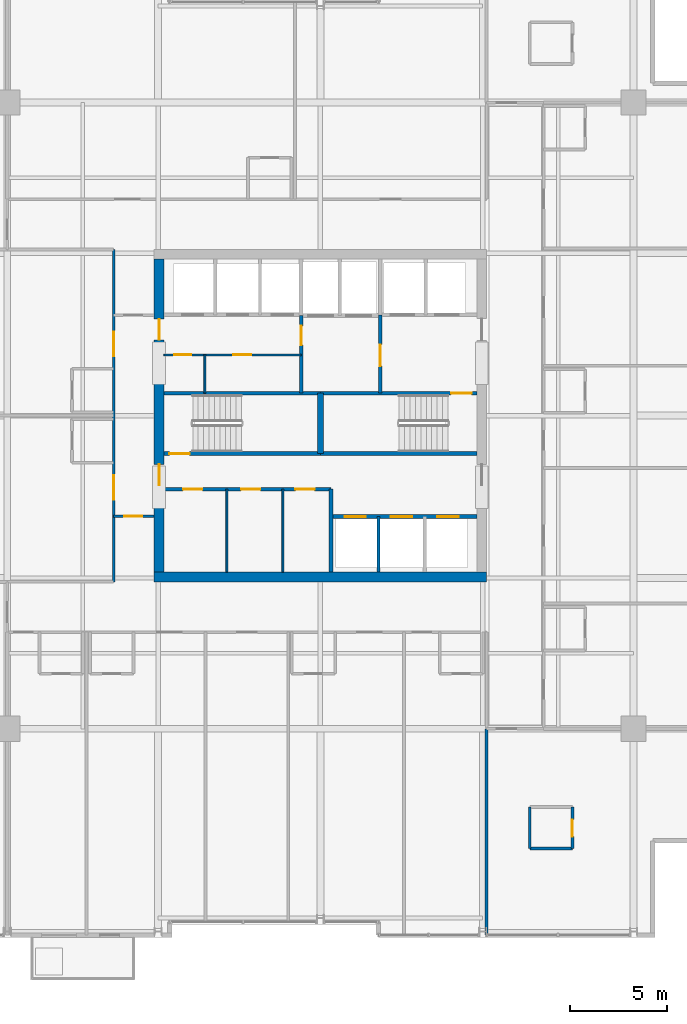
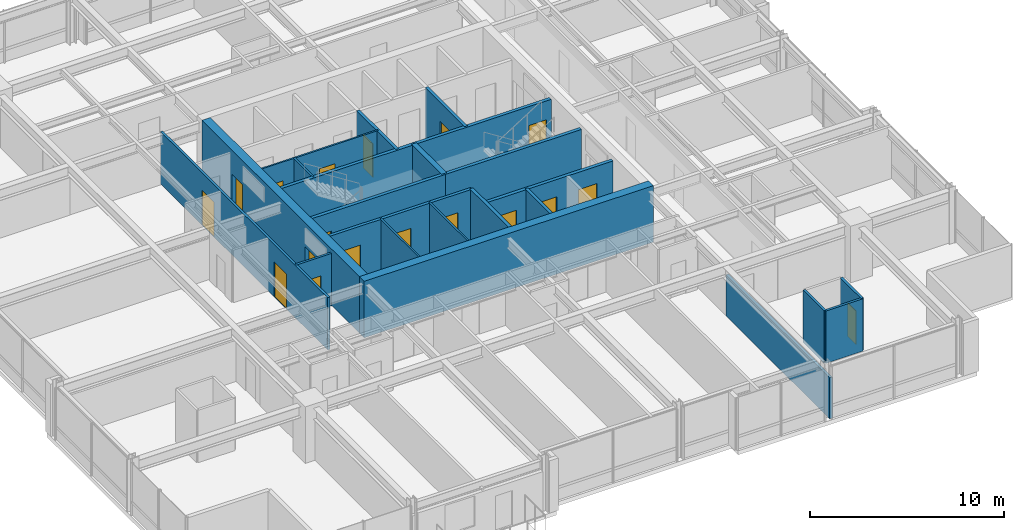
# One storey, part 27 of 32: 23 walls, 18 doors, 18 openings.
"""IFC4 building model written with IfcOpenShell, lengths in metres."""

from ifc_helpers import new_model, si_unit, direction, frame, frame_2d, origin, place, context, subcontext, project, spatial, rectangle, extrude, material, layer, layer_set, type_object, element, fill, save


model = new_model("IFC4")

# Units and contexts
model_context = context("Model", 3, precision=1e-05, world=origin(), true_north=direction((0.0, 1.0)))
body_context = subcontext(model_context, "Body", "Model", "MODEL_VIEW")
ifc_project = project(units=[si_unit("LENGTHUNIT", "METRE"), si_unit("AREAUNIT", "SQUARE_METRE"), si_unit("VOLUMEUNIT", "CUBIC_METRE"), si_unit("PLANEANGLEUNIT", "RADIAN"), si_unit("MASSUNIT", "GRAM", prefix="KILO")], contexts=[model_context])

# Site, building, storey
site_placement = place(None, origin())
site = spatial("IfcSite", under=ifc_project, at=site_placement, CompositionType="ELEMENT")
building_placement = place(site_placement, origin())
building = spatial("IfcBuilding", under=site, at=building_placement, Name="Drelvath Grand Hotel", CompositionType="ELEMENT")
storey_placement = place(building_placement, frame((0.0, 0.0, 193.0)))
storey = spatial("IfcBuildingStorey", under=building, at=storey_placement, Name="L50", CompositionType="ELEMENT", Elevation=193.0)

# Wall, openings, doors
ifc_material_1 = material(Name="Gypsum Partition Board")
ifc_layer_1 = layer(ifc_material_1, 0.10009765625)
ifc_layer_set_1 = layer_set([ifc_layer_1], Name="Gypsum Partition Board")
wall_type_1 = type_object("IfcWallType", Name="Core Closet Partition 100", PredefinedType="PARTITIONING", material=ifc_layer_set_1)
wall_1_placement = place(storey_placement, frame((-8.10009765625, 30.139892578125, 0.0), z_axis=(0.0, 0.0, 1.0), x_axis=(1.0, 0.0, 0.0)))
wall_1 = element("IfcWall", 1, at=wall_1_placement, inside=storey, type_object=wall_type_1, Name="L50 High-Rise Lobby Closet Wall", PredefinedType="PARTITIONING", context=body_context, shape_type="SweptSolid", body=[
    extrude(rectangle(XDim=7.10009765625, YDim=0.10009765625, at=frame_2d((3.550048828125, 0.0))), origin(), (0.0, 0.0, 1.0), 3.2900390625),
])
opening_1_placement = place(wall_1_placement, frame((0.550048828125, 0.0, 0.0)))
opening_1 = element("IfcOpeningElement", 2, at=opening_1_placement, cuts=wall_1, Name="Opening D-T3G5-014", PredefinedType="OPENING", context=body_context, shape_type="SweptSolid", body=[
    extrude(rectangle(XDim=0.8798828125, YDim=2.10009765625, at=frame_2d((0.43994140625, 1.050048828125))), frame((0.0, 0.06005859375, 0.0), z_axis=(0.0, -1.0, 0.0), x_axis=(1.0, 0.0, 0.0)), (0.0, 0.0, 1.0), 0.1201171875),
])
opening_2_placement = place(wall_1_placement, frame((3.60009765625, 0.0, 0.0)))
opening_2 = element("IfcOpeningElement", 3, at=opening_2_placement, cuts=wall_1, Name="Opening D-T3G5-015", PredefinedType="OPENING", context=body_context, shape_type="SweptSolid", body=[
    extrude(rectangle(XDim=0.919921875, YDim=2.10009765625, at=frame_2d((0.4599609375, 1.050048828125))), frame((0.0, 0.06005859375, 0.0), z_axis=(0.0, -1.0, 0.0), x_axis=(1.0, 0.0, 0.0)), (0.0, 0.0, 1.0), 0.1201171875),
])
ifc_material_2 = material(Name="Hardwood Walnut Timber", Category="wood")
door_type_1 = type_object("IfcDoorType", Name="En-Suite Bathroom Door 880x2100", OperationType="NOTDEFINED", PredefinedType="DOOR", material=ifc_material_2)
door_1_placement = place(opening_1_placement, origin())
door_1 = element("IfcDoor", 4, at=door_1_placement, inside=storey, type_object=door_type_1, Name="L50 Low-Voltage Closet Door", OperationType="SINGLE_SWING_LEFT", OverallHeight=2.10009765625, OverallWidth=0.8798828125, PredefinedType="DOOR", context=body_context, shape_type="SweptSolid", body=[
    extrude(rectangle(XDim=0.8798828125, YDim=2.10009765625, at=frame_2d((0.43994140625, 1.050048828125))), frame((0.0, 0.02490234375, 0.0), z_axis=(0.0, -1.0, 0.0), x_axis=(1.0, 0.0, 0.0)), (0.0, 0.0, 1.0), 0.050048828125),
])
fill(opening_1, door_1)
ifc_material_3 = material(Name="Painted Steel S275", Category="steel")
door_type_2 = type_object("IfcDoorType", Name="Staff Utility Door 920x2100", OperationType="NOTDEFINED", PredefinedType="DOOR", material=ifc_material_3)
door_2_placement = place(opening_2_placement, origin())
door_2 = element("IfcDoor", 5, at=door_2_placement, inside=storey, type_object=door_type_2, Name="L50 Telecom Distribution Door", OperationType="SINGLE_SWING_RIGHT", OverallHeight=2.10009765625, OverallWidth=0.919921875, PredefinedType="DOOR", context=body_context, shape_type="SweptSolid", body=[
    extrude(rectangle(XDim=0.919921875, YDim=2.10009765625, at=frame_2d((0.4599609375, 1.050048828125))), frame((0.0, 0.02490234375, 0.0), z_axis=(0.0, -1.0, 0.0), x_axis=(1.0, 0.0, 0.0)), (0.0, 0.0, 1.0), 0.050048828125),
])
fill(opening_2, door_2)

# Walls
wall_2_placement = place(storey_placement, frame((-5.97998046875, 28.159912109375, 0.0), z_axis=(0.0, 0.0, 1.0), x_axis=(0.0, 1.0, 0.0)))
element("IfcWall", 6, at=wall_2_placement, inside=storey, type_object=wall_type_1, Name="L50 Core Closet Split 2", PredefinedType="PARTITIONING", context=body_context, shape_type="SweptSolid", body=[
    extrude(rectangle(XDim=1.97998046875, YDim=0.10009765625, at=frame_2d((0.989990234375, 0.0))), origin(), (0.0, 0.0, 1.0), 3.2900390625),
])
for number, where, z_axis, x_axis, name in (
    (7, (-4.840087890625, 18.89990234375, 0.0), (0.0, 0.0, 1.0), (0.0, 1.0, 0.0), "L50 Reclaimed Split 1"),
    (8, (-1.93994140625, 18.89990234375, 0.0), (0.0, 0.0, 1.0), (0.0, 1.0, 0.0), "L50 Reclaimed Split 2"),
):
    element("IfcWall", number, at=place(storey_placement, frame(where, z_axis=z_axis, x_axis=x_axis)), inside=storey, type_object=wall_type_1, Name=name, PredefinedType="PARTITIONING", context=body_context, shape_type="SweptSolid", body=[
        extrude(rectangle(XDim=4.300048828125, YDim=0.10009765625, at=frame_2d((2.14990234375, 0.0))), origin(), (0.0, 0.0, 1.0), 3.2900390625),
    ])

# Wall, openings, doors
ifc_material_4 = material(Name="Concrete C40/50", Category="concrete")
ifc_layer_2 = layer(ifc_material_4, 0.199951171875)
ifc_layer_set_2 = layer_set([ifc_layer_2], Name="Concrete C40/50")
wall_type_2 = type_object("IfcWallType", Name="Core Hoistway Fire Wall 200", PredefinedType="SOLIDWALL", material=ifc_layer_set_2)
wall_3_placement = place(storey_placement, frame((8.10009765625, 21.780029296875, 0.0), z_axis=(0.0, 0.0, 1.0), x_axis=(-1.0, 0.0, 0.0)))
wall_3 = element("IfcWall", 9, at=wall_3_placement, inside=storey, type_object=wall_type_2, Name="L50 Bank 2 Hoistway Wall", PredefinedType="SOLIDWALL", context=body_context, shape_type="SweptSolid", body=[
    extrude(rectangle(XDim=7.550048828125, YDim=0.199951171875, at=frame_2d((3.77490234375, 0.0))), origin(), (0.0, 0.0, 1.0), 3.2900390625),
])
opening_3_placement = place(wall_3_placement, frame((5.75, 0.0, 0.0)))
opening_3 = element("IfcOpeningElement", 10, at=opening_3_placement, cuts=wall_3, Name="Opening LD-PE-4", PredefinedType="OPENING", context=body_context, shape_type="SweptSolid", body=[
    extrude(rectangle(XDim=1.10009765625, YDim=2.199951171875, at=frame_2d((0.550048828125, 1.10009765625))), frame((0.0, 0.10986328125, 0.0), z_axis=(0.0, -1.0, 0.0), x_axis=(1.0, 0.0, 0.0)), (0.0, 0.0, 1.0), 0.219970703125),
])
opening_4_placement = place(wall_3_placement, frame((3.35009765625, 0.0, 0.0)))
opening_4 = element("IfcOpeningElement", 11, at=opening_4_placement, cuts=wall_3, Name="Opening LD-PE-5", PredefinedType="OPENING", context=body_context, shape_type="SweptSolid", body=[
    extrude(rectangle(XDim=1.10009765625, YDim=2.199951171875, at=frame_2d((0.550048828125, 1.10009765625))), frame((0.0, 0.10986328125, 0.0), z_axis=(0.0, -1.0, 0.0), x_axis=(1.0, 0.0, 0.0)), (0.0, 0.0, 1.0), 0.219970703125),
])
opening_5_placement = place(wall_3_placement, frame((0.949951171875, 0.0, 0.0)))
opening_5 = element("IfcOpeningElement", 12, at=opening_5_placement, cuts=wall_3, Name="Opening LD-PE-6", PredefinedType="OPENING", context=body_context, shape_type="SweptSolid", body=[
    extrude(rectangle(XDim=1.10009765625, YDim=2.199951171875, at=frame_2d((0.550048828125, 1.10009765625))), frame((0.0, 0.10986328125, 0.0), z_axis=(0.0, -1.0, 0.0), x_axis=(1.0, 0.0, 0.0)), (0.0, 0.0, 1.0), 0.219970703125),
])
ifc_material_5 = material(Name="Stainless Steel S355", Category="steel")
door_type_3 = type_object("IfcDoorType", Name="Passenger Lift Sliding Landing Door 1100x2200", OperationType="NOTDEFINED", PredefinedType="DOOR", material=ifc_material_5)
door_3_placement = place(opening_3_placement, origin())
door_3 = element("IfcDoor", 13, at=door_3_placement, inside=storey, type_object=door_type_3, Name="L50 Lift PE-4 Landing Door", OperationType="SLIDING_TO_LEFT", OverallHeight=2.199951171875, OverallWidth=1.10009765625, PredefinedType="DOOR", context=body_context, shape_type="SweptSolid", body=[
    extrude(rectangle(XDim=1.10009765625, YDim=2.199951171875, at=frame_2d((0.550048828125, 1.10009765625))), frame((0.0, 0.02490234375, 0.0), z_axis=(0.0, -1.0, 0.0), x_axis=(1.0, 0.0, 0.0)), (0.0, 0.0, 1.0), 0.050048828125),
])
fill(opening_3, door_3)
door_4_placement = place(opening_4_placement, origin())
door_4 = element("IfcDoor", 14, at=door_4_placement, inside=storey, type_object=door_type_3, Name="L50 Lift PE-5 Landing Door", OperationType="SLIDING_TO_LEFT", OverallHeight=2.199951171875, OverallWidth=1.10009765625, PredefinedType="DOOR", context=body_context, shape_type="SweptSolid", body=[
    extrude(rectangle(XDim=1.10009765625, YDim=2.199951171875, at=frame_2d((0.550048828125, 1.10009765625))), frame((0.0, 0.02490234375, 0.0), z_axis=(0.0, -1.0, 0.0), x_axis=(1.0, 0.0, 0.0)), (0.0, 0.0, 1.0), 0.050048828125),
])
fill(opening_4, door_4)
door_5_placement = place(opening_5_placement, origin())
door_5 = element("IfcDoor", 15, at=door_5_placement, inside=storey, type_object=door_type_3, Name="L50 Lift PE-6 Landing Door", OperationType="SLIDING_TO_LEFT", OverallHeight=2.199951171875, OverallWidth=1.10009765625, PredefinedType="DOOR", context=body_context, shape_type="SweptSolid", body=[
    extrude(rectangle(XDim=1.10009765625, YDim=2.199951171875, at=frame_2d((0.550048828125, 1.10009765625))), frame((0.0, 0.02490234375, 0.0), z_axis=(0.0, -1.0, 0.0), x_axis=(1.0, 0.0, 0.0)), (0.0, 0.0, 1.0), 0.050048828125),
])
fill(opening_5, door_5)

# Wall
wall_4_placement = place(storey_placement, frame((0.550048828125, 18.89990234375, 0.0), z_axis=(0.0, 0.0, 1.0), x_axis=(0.0, 1.0, 0.0)))
element("IfcWall", 16, at=wall_4_placement, inside=storey, type_object=wall_type_2, Name="L50 Bank 2 West Wall", PredefinedType="SOLIDWALL", context=body_context, shape_type="SweptSolid", body=[
    extrude(rectangle(XDim=4.300048828125, YDim=0.199951171875, at=frame_2d((2.14990234375, 0.0))), origin(), (0.0, 0.0, 1.0), 3.2900390625),
])

# Wall, opening, door
ifc_layer_3 = layer(ifc_material_4, 0.199951171875)
ifc_layer_set_3 = layer_set([ifc_layer_3], Name="Concrete C40/50")
wall_type_3 = type_object("IfcWallType", Name="Core Shaft Fire Wall 200", PredefinedType="SOLIDWALL", material=ifc_layer_set_3)
wall_5_placement = place(storey_placement, frame((-8.10009765625, 25.0400390625, 0.0), z_axis=(0.0, 0.0, 1.0), x_axis=(1.0, 0.0, 0.0)))
wall_5 = element("IfcWall", 17, at=wall_5_placement, inside=storey, type_object=wall_type_3, Name="L50 Stair ST-1 South Wall", PredefinedType="SOLIDWALL", context=body_context, shape_type="SweptSolid", body=[
    extrude(rectangle(XDim=8.10009765625, YDim=0.199951171875, at=frame_2d((4.050048828125, 0.0))), origin(), (0.0, 0.0, 1.0), 3.2900390625),
])
opening_6_placement = place(wall_5_placement, frame((0.280029296875, 0.0, 0.0)))
opening_6 = element("IfcOpeningElement", 18, at=opening_6_placement, cuts=wall_5, Name="Opening D-T3G5-001", PredefinedType="OPENING", context=body_context, shape_type="SweptSolid", body=[
    extrude(rectangle(XDim=1.050048828125, YDim=2.10009765625, at=frame_2d((0.52490234375, 1.050048828125))), frame((0.0, 0.10986328125, 0.0), z_axis=(0.0, -1.0, 0.0), x_axis=(1.0, 0.0, 0.0)), (0.0, 0.0, 1.0), 0.219970703125),
])
door_type_4 = type_object("IfcDoorType", Name="Tower Stairwell Fire Door 1050x2100", OperationType="NOTDEFINED", PredefinedType="DOOR", material=ifc_material_3)
door_6_placement = place(opening_6_placement, origin())
door_6 = element("IfcDoor", 19, at=door_6_placement, inside=storey, type_object=door_type_4, Name="L50 Exit Stair ST-1 Door", OperationType="SINGLE_SWING_LEFT", OverallHeight=2.10009765625, OverallWidth=1.050048828125, PredefinedType="DOOR", context=body_context, shape_type="SweptSolid", body=[
    extrude(rectangle(XDim=1.050048828125, YDim=2.10009765625, at=frame_2d((0.52490234375, 1.050048828125))), frame((0.0, 0.02490234375, 0.0), z_axis=(0.0, -1.0, 0.0), x_axis=(1.0, 0.0, 0.0)), (0.0, 0.0, 1.0), 0.050048828125),
])
fill(opening_6, door_6)

# Walls
for number, where, z_axis, x_axis, name in (
    (20, (-8.10009765625, 28.159912109375, 0.0), (0.0, 0.0, 1.0), (1.0, 0.0, 0.0), "L50 Stair ST-1 North Wall"),
    (21, (0.0, 25.0400390625, 0.0), (0.0, 0.0, 1.0), (1.0, 0.0, 0.0), "L50 Stair ST-2 South Wall"),
):
    element("IfcWall", number, at=place(storey_placement, frame(where, z_axis=z_axis, x_axis=x_axis)), inside=storey, type_object=wall_type_3, Name=name, PredefinedType="SOLIDWALL", context=body_context, shape_type="SweptSolid", body=[
        extrude(rectangle(XDim=8.10009765625, YDim=0.199951171875, at=frame_2d((4.050048828125, 0.0))), origin(), (0.0, 0.0, 1.0), 3.2900390625),
    ])

# Wall, opening, door
wall_6_placement = place(storey_placement, frame((8.10009765625, 28.159912109375, 0.0), z_axis=(0.0, 0.0, 1.0), x_axis=(-1.0, 0.0, 0.0)))
wall_6 = element("IfcWall", 22, at=wall_6_placement, inside=storey, type_object=wall_type_3, Name="L50 Stair ST-2 North Wall", PredefinedType="SOLIDWALL", context=body_context, shape_type="SweptSolid", body=[
    extrude(rectangle(XDim=8.10009765625, YDim=0.199951171875, at=frame_2d((4.050048828125, 0.0))), origin(), (0.0, 0.0, 1.0), 3.2900390625),
])
opening_7_placement = place(wall_6_placement, frame((0.280029296875, 0.0, 0.0)))
opening_7 = element("IfcOpeningElement", 23, at=opening_7_placement, cuts=wall_6, Name="Opening D-T3G5-002", PredefinedType="OPENING", context=body_context, shape_type="SweptSolid", body=[
    extrude(rectangle(XDim=1.050048828125, YDim=2.10009765625, at=frame_2d((0.52490234375, 1.050048828125))), frame((0.0, 0.10986328125, 0.0), z_axis=(0.0, -1.0, 0.0), x_axis=(1.0, 0.0, 0.0)), (0.0, 0.0, 1.0), 0.219970703125),
])
door_7_placement = place(opening_7_placement, origin())
door_7 = element("IfcDoor", 24, at=door_7_placement, inside=storey, type_object=door_type_4, Name="L50 Exit Stair ST-2 Door", OperationType="SINGLE_SWING_LEFT", OverallHeight=2.10009765625, OverallWidth=1.050048828125, PredefinedType="DOOR", context=body_context, shape_type="SweptSolid", body=[
    extrude(rectangle(XDim=1.050048828125, YDim=2.10009765625, at=frame_2d((0.52490234375, 1.050048828125))), frame((0.0, 0.02490234375, 0.0), z_axis=(0.0, -1.0, 0.0), x_axis=(1.0, 0.0, 0.0)), (0.0, 0.0, 1.0), 0.050048828125),
])
fill(opening_7, door_7)

# Walls
ifc_layer_4 = layer(ifc_material_4, 0.300048828125)
ifc_layer_set_4 = layer_set([ifc_layer_4], Name="Concrete C40/50")
wall_type_4 = type_object("IfcWallType", Name="Core Shaft Fire Wall 300", PredefinedType="SOLIDWALL", material=ifc_layer_set_4)
wall_7_placement = place(storey_placement, frame((0.0, 25.0400390625, 0.0), z_axis=(0.0, 0.0, 1.0), x_axis=(0.0, 1.0, 0.0)))
element("IfcWall", 25, at=wall_7_placement, inside=storey, type_object=wall_type_4, Name="L50 Core Stair Divider Wall", PredefinedType="SOLIDWALL", context=body_context, shape_type="SweptSolid", body=[
    extrude(rectangle(XDim=3.119873046875, YDim=0.300048828125, at=frame_2d((1.56005859375, 0.0))), origin(), (0.0, 0.0, 1.0), 3.2900390625),
])
ifc_material_6 = material(Name="Gypsum Fireboard Partition")
ifc_layer_5 = layer(ifc_material_6, 0.1650390625)
ifc_layer_set_5 = layer_set([ifc_layer_5], Name="Gypsum Fireboard Partition")
wall_type_5 = type_object("IfcWallType", Name="Core Shaft Partition 165", PredefinedType="PARTITIONING", material=ifc_layer_set_5)
wall_8_placement = place(storey_placement, frame((3.0, 18.89990234375, 0.0), z_axis=(0.0, 0.0, 1.0), x_axis=(0.0, 1.0, 0.0)))
element("IfcWall", 26, at=wall_8_placement, inside=storey, type_object=wall_type_5, Name="L50 Lift PE-4/5 Divider", PredefinedType="PARTITIONING", context=body_context, shape_type="SweptSolid", body=[
    extrude(rectangle(XDim=2.880126953125, YDim=0.1650390625, at=frame_2d((1.43994140625, 0.0))), origin(), (0.0, 0.0, 1.0), 3.2900390625),
])

# Wall, opening, door
ifc_layer_6 = layer(ifc_material_6, 0.135009765625)
ifc_layer_set_6 = layer_set([ifc_layer_6], Name="Gypsum Fireboard Partition")
wall_type_6 = type_object("IfcWallType", Name="Corridor Fire Barrier Wall 135", PredefinedType="PARTITIONING", material=ifc_layer_set_6)
wall_9_placement = place(storey_placement, frame((-10.699951171875, 21.800048828125, 0.0), z_axis=(0.0, 0.0, 1.0), x_axis=(1.0, 0.0, 0.0)))
wall_9 = element("IfcWall", 27, at=wall_9_placement, inside=storey, type_object=wall_type_6, Name="L50 West Foyer South Wall", PredefinedType="PARTITIONING", context=body_context, shape_type="SweptSolid", body=[
    extrude(rectangle(XDim=2.099853515625, YDim=0.135009765625, at=frame_2d((1.0498046875, 0.0))), origin(), (0.0, 0.0, 1.0), 3.2900390625),
])
opening_8_placement = place(wall_9_placement, frame((0.550048828125, 0.0, 0.0)))
opening_8 = element("IfcOpeningElement", 28, at=opening_8_placement, cuts=wall_9, Name="Opening D-T3G5-024", PredefinedType="OPENING", context=body_context, shape_type="SweptSolid", body=[
    extrude(rectangle(XDim=0.919921875, YDim=2.10009765625, at=frame_2d((0.4599609375, 1.050048828125))), frame((0.0, 0.077392578125, 0.0), z_axis=(0.0, -1.0, 0.0), x_axis=(1.0, 0.0, 0.0)), (0.0, 0.0, 1.0), 0.155029296875),
])
door_8_placement = place(opening_8_placement, origin())
door_8 = element("IfcDoor", 29, at=door_8_placement, inside=storey, type_object=door_type_2, Name="L50 West Linen Closet Door", OperationType="SINGLE_SWING_RIGHT", OverallHeight=2.10009765625, OverallWidth=0.919921875, PredefinedType="DOOR", context=body_context, shape_type="SweptSolid", body=[
    extrude(rectangle(XDim=0.919921875, YDim=2.10009765625, at=frame_2d((0.4599609375, 1.050048828125))), frame((0.0, 0.02490234375, 0.0), z_axis=(0.0, -1.0, 0.0), x_axis=(1.0, 0.0, 0.0)), (0.0, 0.0, 1.0), 0.050048828125),
])
fill(opening_8, door_8)

# Wall, openings, doors
wall_10_placement = place(storey_placement, frame((-10.699951171875, 18.39990234375, 0.0), z_axis=(0.0, 0.0, 1.0), x_axis=(0.0, 1.0, 0.0)))
wall_10 = element("IfcWall", 30, at=wall_10_placement, inside=storey, type_object=wall_type_6, Name="L50 West Spine Wall", PredefinedType="PARTITIONING", context=body_context, shape_type="SweptSolid", body=[
    extrude(rectangle(XDim=17.2001953125, YDim=0.135009765625, at=frame_2d((8.60009765625, 0.0))), origin(), (0.0, 0.0, 1.0), 3.2900390625),
])
opening_9_placement = place(wall_10_placement, frame((4.2548828125, 0.0, 0.0)))
opening_9 = element("IfcOpeningElement", 31, at=opening_9_placement, cuts=wall_10, Name="Opening D-T3G5-055", PredefinedType="OPENING", context=body_context, shape_type="SweptSolid", body=[
    extrude(rectangle(XDim=1.260009765625, YDim=2.199951171875, at=frame_2d((0.6298828125, 1.10009765625))), frame((0.0, 0.077392578125, 0.0), z_axis=(0.0, -1.0, 0.0), x_axis=(1.0, 0.0, 0.0)), (0.0, 0.0, 1.0), 0.155029296875),
])
opening_10_placement = place(wall_10_placement, frame((11.68505859375, 0.0, 0.0)))
opening_10 = element("IfcOpeningElement", 32, at=opening_10_placement, cuts=wall_10, Name="Opening D-T3G5-057", PredefinedType="OPENING", context=body_context, shape_type="SweptSolid", body=[
    extrude(rectangle(XDim=1.260009765625, YDim=2.199951171875, at=frame_2d((0.6298828125, 1.10009765625))), frame((0.0, 0.077392578125, 0.0), z_axis=(0.0, -1.0, 0.0), x_axis=(1.0, 0.0, 0.0)), (0.0, 0.0, 1.0), 0.155029296875),
])
door_type_5 = type_object("IfcDoorType", Name="Suite Entrance Fire Door 1260x2200", OperationType="NOTDEFINED", PredefinedType="DOOR", material=ifc_material_2)
door_9_placement = place(opening_9_placement, origin())
door_9 = element("IfcDoor", 33, at=door_9_placement, inside=storey, type_object=door_type_5, Name="L50 Executive Suite Entry Door", OperationType="SINGLE_SWING_LEFT", OverallHeight=2.199951171875, OverallWidth=1.260009765625, PredefinedType="DOOR", context=body_context, shape_type="SweptSolid", body=[
    extrude(rectangle(XDim=1.260009765625, YDim=2.199951171875, at=frame_2d((0.6298828125, 1.10009765625))), frame((0.0, 0.02490234375, 0.0), z_axis=(0.0, -1.0, 0.0), x_axis=(1.0, 0.0, 0.0)), (0.0, 0.0, 1.0), 0.050048828125),
])
fill(opening_9, door_9)
door_10_placement = place(opening_10_placement, origin())
door_10 = element("IfcDoor", 34, at=door_10_placement, inside=storey, type_object=door_type_5, Name="L50 Executive Suite Entry Door", OperationType="SINGLE_SWING_LEFT", OverallHeight=2.199951171875, OverallWidth=1.260009765625, PredefinedType="DOOR", context=body_context, shape_type="SweptSolid", body=[
    extrude(rectangle(XDim=1.260009765625, YDim=2.199951171875, at=frame_2d((0.6298828125, 1.10009765625))), frame((0.0, 0.02490234375, 0.0), z_axis=(0.0, -1.0, 0.0), x_axis=(1.0, 0.0, 0.0)), (0.0, 0.0, 1.0), 0.050048828125),
])
fill(opening_10, door_10)

# Walls
ifc_material_7 = material(Name="Moisture-Resistant Gypsum Board")
ifc_layer_7 = layer(ifc_material_7, 0.139892578125)
ifc_layer_set_7 = layer_set([ifc_layer_7], Name="Moisture-Resistant Gypsum Board")
wall_type_7 = type_object("IfcWallType", Name="En-Suite Plumbing Wall 140", PredefinedType="PLUMBINGWALL", material=ifc_layer_set_7)
wall_11_placement = place(storey_placement, frame((10.840087890625, 4.60009765625, 0.0), z_axis=(0.0, 0.0, 1.0), x_axis=(1.0, 0.0, 0.0)))
element("IfcWall", 35, at=wall_11_placement, inside=storey, type_object=wall_type_7, Name="L50 Corner En-Suite South", PredefinedType="PLUMBINGWALL", context=body_context, shape_type="SweptSolid", body=[
    extrude(rectangle(XDim=2.199951171875, YDim=0.139892578125, at=frame_2d((1.10009765625, 0.0))), origin(), (0.0, 0.0, 1.0), 3.2900390625),
])
wall_12_placement = place(storey_placement, frame((10.840087890625, 4.60009765625, 0.0), z_axis=(0.0, 0.0, 1.0), x_axis=(0.0, 1.0, 0.0)))
element("IfcWall", 36, at=wall_12_placement, inside=storey, type_object=wall_type_7, Name="L50 Corner En-Suite West", PredefinedType="PLUMBINGWALL", context=body_context, shape_type="SweptSolid", body=[
    extrude(rectangle(XDim=2.14990234375, YDim=0.139892578125, at=frame_2d((1.074951171875, 0.0))), origin(), (0.0, 0.0, 1.0), 3.2900390625),
])

# Wall, opening, door
wall_13_placement = place(storey_placement, frame((13.0400390625, 4.60009765625, 0.0), z_axis=(0.0, 0.0, 1.0), x_axis=(0.0, 1.0, 0.0)))
wall_13 = element("IfcWall", 37, at=wall_13_placement, inside=storey, type_object=wall_type_7, Name="L50 Corner En-Suite East", PredefinedType="PLUMBINGWALL", context=body_context, shape_type="SweptSolid", body=[
    extrude(rectangle(XDim=2.14990234375, YDim=0.139892578125, at=frame_2d((1.074951171875, 0.0))), origin(), (0.0, 0.0, 1.0), 3.2900390625),
])
opening_11_placement = place(wall_13_placement, frame((0.6201171875, 0.0, 0.0)))
opening_11 = element("IfcOpeningElement", 38, at=opening_11_placement, cuts=wall_13, Name="Opening D-T3G5-030", PredefinedType="OPENING", context=body_context, shape_type="SweptSolid", body=[
    extrude(rectangle(XDim=0.8798828125, YDim=2.10009765625, at=frame_2d((0.43994140625, 1.050048828125))), frame((0.0, 0.079833984375, 0.0), z_axis=(0.0, -1.0, 0.0), x_axis=(1.0, 0.0, 0.0)), (0.0, 0.0, 1.0), 0.159912109375),
])
door_11_placement = place(opening_11_placement, origin())
door_11 = element("IfcDoor", 39, at=door_11_placement, inside=storey, type_object=door_type_1, Name="L50 Corner En-Suite Door", OperationType="SINGLE_SWING_RIGHT", OverallHeight=2.10009765625, OverallWidth=0.8798828125, PredefinedType="DOOR", context=body_context, shape_type="SweptSolid", body=[
    extrude(rectangle(XDim=0.8798828125, YDim=2.10009765625, at=frame_2d((0.43994140625, 1.050048828125))), frame((0.0, 0.02490234375, 0.0), z_axis=(0.0, -1.0, 0.0), x_axis=(1.0, 0.0, 0.0)), (0.0, 0.0, 1.0), 0.050048828125),
])
fill(opening_11, door_11)

ifc_layer_8 = layer(ifc_material_6, 0.179931640625)
ifc_layer_set_8 = layer_set([ifc_layer_8], Name="Gypsum Fireboard Partition")
wall_type_8 = type_object("IfcWallType", Name="FSAE Smoke Lobby Fire Wall 180", PredefinedType="SOLIDWALL", material=ifc_layer_set_8)
wall_14_placement = place(storey_placement, frame((3.10009765625, 28.159912109375, 0.0), z_axis=(0.0, 0.0, 1.0), x_axis=(0.0, 1.0, 0.0)))
wall_14 = element("IfcWall", 40, at=wall_14_placement, inside=storey, type_object=wall_type_8, Name="L50 FSAE Smoke Lobby West Wall", PredefinedType="SOLIDWALL", context=body_context, shape_type="SweptSolid", body=[
    extrude(rectangle(XDim=4.06005859375, YDim=0.179931640625, at=frame_2d((2.030029296875, 0.0))), origin(), (0.0, 0.0, 1.0), 3.2900390625),
])
opening_12_placement = place(wall_14_placement, frame((1.39990234375, 0.0, 0.0)))
opening_12 = element("IfcOpeningElement", 41, at=opening_12_placement, cuts=wall_14, Name="Opening D-T3G5-005", PredefinedType="OPENING", context=body_context, shape_type="SweptSolid", body=[
    extrude(rectangle(XDim=1.1201171875, YDim=2.10009765625, at=frame_2d((0.56005859375, 1.050048828125))), frame((0.0, 0.099853515625, 0.0), z_axis=(0.0, -1.0, 0.0), x_axis=(1.0, 0.0, 0.0)), (0.0, 0.0, 1.0), 0.199951171875),
])
door_type_6 = type_object("IfcDoorType", Name="FSAE Smoke Lobby Fire Door 1120x2100", OperationType="NOTDEFINED", PredefinedType="DOOR", material=ifc_material_3)
door_12_placement = place(opening_12_placement, origin())
door_12 = element("IfcDoor", 42, at=door_12_placement, inside=storey, type_object=door_type_6, Name="L50 FSAE Lobby Service Vestibule Door", OperationType="SINGLE_SWING_RIGHT", OverallHeight=2.10009765625, OverallWidth=1.1201171875, PredefinedType="DOOR", context=body_context, shape_type="SweptSolid", body=[
    extrude(rectangle(XDim=1.1201171875, YDim=2.10009765625, at=frame_2d((0.56005859375, 1.050048828125))), frame((0.0, 0.02490234375, 0.0), z_axis=(0.0, -1.0, 0.0), x_axis=(1.0, 0.0, 0.0)), (0.0, 0.0, 1.0), 0.050048828125),
])
fill(opening_12, door_12)

wall_15_placement = place(storey_placement, frame((-1.0, 28.159912109375, 0.0), z_axis=(0.0, 0.0, 1.0), x_axis=(0.0, 1.0, 0.0)))
wall_15 = element("IfcWall", 43, at=wall_15_placement, inside=storey, type_object=wall_type_8, Name="L50 Service Vestibule West Wall", PredefinedType="SOLIDWALL", context=body_context, shape_type="SweptSolid", body=[
    extrude(rectangle(XDim=4.02001953125, YDim=0.179931640625, at=frame_2d((2.010009765625, 0.0))), origin(), (0.0, 0.0, 1.0), 3.2900390625),
])
opening_13_placement = place(wall_15_placement, frame((2.489990234375, 0.0, 0.0)))
opening_13 = element("IfcOpeningElement", 44, at=opening_13_placement, cuts=wall_15, Name="Opening D-T3G5-009", PredefinedType="OPENING", context=body_context, shape_type="SweptSolid", body=[
    extrude(rectangle(XDim=1.0, YDim=2.10009765625, at=frame_2d((0.5, 1.050048828125))), frame((0.0, 0.099853515625, 0.0), z_axis=(0.0, -1.0, 0.0), x_axis=(1.0, 0.0, 0.0)), (0.0, 0.0, 1.0), 0.199951171875),
])
door_type_7 = type_object("IfcDoorType", Name="Core Service Fire Door 1000x2100", OperationType="NOTDEFINED", PredefinedType="DOOR", material=ifc_material_3)
door_13_placement = place(opening_13_placement, origin())
door_13 = element("IfcDoor", 45, at=door_13_placement, inside=storey, type_object=door_type_7, Name="L50 Service Vestibule West Door", OperationType="SINGLE_SWING_LEFT", OverallHeight=2.10009765625, OverallWidth=1.0, PredefinedType="DOOR", context=body_context, shape_type="SweptSolid", body=[
    extrude(rectangle(XDim=1.0, YDim=2.10009765625, at=frame_2d((0.5, 1.050048828125))), frame((0.0, 0.02490234375, 0.0), z_axis=(0.0, -1.0, 0.0), x_axis=(1.0, 0.0, 0.0)), (0.0, 0.0, 1.0), 0.050048828125),
])
fill(opening_13, door_13)

# Wall, openings, doors
wall_16_placement = place(storey_placement, frame((-8.10009765625, 23.199951171875, 0.0), z_axis=(0.0, 0.0, 1.0), x_axis=(1.0, 0.0, 0.0)))
wall_16 = element("IfcWall", 46, at=wall_16_placement, inside=storey, type_object=wall_type_8, Name="L50 Reclaimed Core Room Wall", PredefinedType="SOLIDWALL", context=body_context, shape_type="SweptSolid", body=[
    extrude(rectangle(XDim=8.650146484375, YDim=0.179931640625, at=frame_2d((4.3251953125, 0.0))), origin(), (0.0, 0.0, 1.0), 3.2900390625),
])
opening_14_placement = place(wall_16_placement, frame((1.0, 0.0, 0.0)))
opening_14 = element("IfcOpeningElement", 47, at=opening_14_placement, cuts=wall_16, Name="Opening D-T3G5-021", PredefinedType="OPENING", context=body_context, shape_type="SweptSolid", body=[
    extrude(rectangle(XDim=1.0, YDim=2.10009765625, at=frame_2d((0.5, 1.050048828125))), frame((0.0, 0.099853515625, 0.0), z_axis=(0.0, -1.0, 0.0), x_axis=(1.0, 0.0, 0.0)), (0.0, 0.0, 1.0), 0.199951171875),
])
opening_15_placement = place(wall_16_placement, frame((4.0, 0.0, 0.0)))
opening_15 = element("IfcOpeningElement", 48, at=opening_15_placement, cuts=wall_16, Name="Opening D-T3G5-022", PredefinedType="OPENING", context=body_context, shape_type="SweptSolid", body=[
    extrude(rectangle(XDim=1.0, YDim=2.10009765625, at=frame_2d((0.5, 1.050048828125))), frame((0.0, 0.099853515625, 0.0), z_axis=(0.0, -1.0, 0.0), x_axis=(1.0, 0.0, 0.0)), (0.0, 0.0, 1.0), 0.199951171875),
])
opening_16_placement = place(wall_16_placement, frame((6.800048828125, 0.0, 0.0)))
opening_16 = element("IfcOpeningElement", 49, at=opening_16_placement, cuts=wall_16, Name="Opening D-T3G5-023", PredefinedType="OPENING", context=body_context, shape_type="SweptSolid", body=[
    extrude(rectangle(XDim=1.0, YDim=2.10009765625, at=frame_2d((0.5, 1.050048828125))), frame((0.0, 0.099853515625, 0.0), z_axis=(0.0, -1.0, 0.0), x_axis=(1.0, 0.0, 0.0)), (0.0, 0.0, 1.0), 0.199951171875),
])
door_14_placement = place(opening_14_placement, origin())
door_14 = element("IfcDoor", 50, at=door_14_placement, inside=storey, type_object=door_type_7, Name="L50 Housekeeping Door", OperationType="SINGLE_SWING_LEFT", OverallHeight=2.10009765625, OverallWidth=1.0, PredefinedType="DOOR", context=body_context, shape_type="SweptSolid", body=[
    extrude(rectangle(XDim=1.0, YDim=2.10009765625, at=frame_2d((0.5, 1.050048828125))), frame((0.0, 0.02490234375, 0.0), z_axis=(0.0, -1.0, 0.0), x_axis=(1.0, 0.0, 0.0)), (0.0, 0.0, 1.0), 0.050048828125),
])
fill(opening_14, door_14)
door_15_placement = place(opening_15_placement, origin())
door_15 = element("IfcDoor", 51, at=door_15_placement, inside=storey, type_object=door_type_7, Name="L50 Pantry Door", OperationType="SINGLE_SWING_RIGHT", OverallHeight=2.10009765625, OverallWidth=1.0, PredefinedType="DOOR", context=body_context, shape_type="SweptSolid", body=[
    extrude(rectangle(XDim=1.0, YDim=2.10009765625, at=frame_2d((0.5, 1.050048828125))), frame((0.0, 0.02490234375, 0.0), z_axis=(0.0, -1.0, 0.0), x_axis=(1.0, 0.0, 0.0)), (0.0, 0.0, 1.0), 0.050048828125),
])
fill(opening_15, door_15)
door_16_placement = place(opening_16_placement, origin())
door_16 = element("IfcDoor", 52, at=door_16_placement, inside=storey, type_object=door_type_7, Name="L50 Luggage Store Door", OperationType="SINGLE_SWING_LEFT", OverallHeight=2.10009765625, OverallWidth=1.0, PredefinedType="DOOR", context=body_context, shape_type="SweptSolid", body=[
    extrude(rectangle(XDim=1.0, YDim=2.10009765625, at=frame_2d((0.5, 1.050048828125))), frame((0.0, 0.02490234375, 0.0), z_axis=(0.0, -1.0, 0.0), x_axis=(1.0, 0.0, 0.0)), (0.0, 0.0, 1.0), 0.050048828125),
])
fill(opening_16, door_16)

# Walls
ifc_material_8 = material(Name="Gypsum Acoustic Partition")
ifc_layer_9 = layer(ifc_material_8, 0.1650390625)
ifc_layer_set_9 = layer_set([ifc_layer_9], Name="Gypsum Acoustic Partition")
wall_type_9 = type_object("IfcWallType", Name="Suite Demising Wall 165", PredefinedType="PARTITIONING", material=ifc_layer_set_9)
wall_17_placement = place(storey_placement, frame((8.60009765625, 0.1201171875, 0.0), z_axis=(0.0, 0.0, 1.0), x_axis=(0.0, 1.0, 0.0)))
element("IfcWall", 53, at=wall_17_placement, inside=storey, type_object=wall_type_9, Name="L50 SE Suite West Wall", PredefinedType="PARTITIONING", context=body_context, shape_type="SweptSolid", body=[
    extrude(rectangle(XDim=10.679931640625, YDim=0.1650390625, at=frame_2d((5.33984375, 0.0))), origin(), (0.0, 0.0, 1.0), 2.57958984375),
])
ifc_material_9 = material(Name="Concrete f'c 55 MPa", Category="concrete")
ifc_layer_10 = layer(ifc_material_9, 0.5)
ifc_layer_set_10 = layer_set([ifc_layer_10], Name="Concrete f'c 55 MPa")
wall_type_10 = type_object("IfcWallType", Name="Upper Core RC Shear Wall 500", PredefinedType="SHEAR", material=ifc_layer_set_10)
wall_18_placement = place(storey_placement, frame((8.60009765625, 18.64990234375, 0.0), z_axis=(0.0, 0.0, 1.0), x_axis=(-1.0, 0.0, 0.0)))
element("IfcWall", 54, at=wall_18_placement, inside=storey, type_object=wall_type_10, Name="L50 Central Core Shear Wall S", PredefinedType="SHEAR", context=body_context, shape_type="SweptSolid", body=[
    extrude(rectangle(XDim=17.2001953125, YDim=0.5, at=frame_2d((8.60009765625, 0.0))), origin(), (0.0, 0.0, 1.0), 3.550048828125),
])

# Wall, openings, doors
wall_19_placement = place(storey_placement, frame((-8.35009765625, 18.89990234375, 0.0), z_axis=(0.0, 0.0, 1.0), x_axis=(0.0, 1.0, 0.0)))
wall_19 = element("IfcWall", 55, at=wall_19_placement, inside=storey, type_object=wall_type_10, Name="L50 Central Core Shear Wall W", PredefinedType="SHEAR", context=body_context, shape_type="SweptSolid", body=[
    extrude(rectangle(XDim=16.2001953125, YDim=0.5, at=frame_2d((8.10009765625, 0.0))), origin(), (0.0, 0.0, 1.0), 3.550048828125),
])
opening_17_placement = place(wall_19_placement, frame((12.02001953125, 0.0, 0.0)))
opening_17 = element("IfcOpeningElement", 56, at=opening_17_placement, cuts=wall_19, Name="Opening D-T3G5-013", PredefinedType="OPENING", context=body_context, shape_type="SweptSolid", body=[
    extrude(rectangle(XDim=1.080078125, YDim=2.0400390625, at=frame_2d((0.5400390625, 1.02001953125))), frame((0.0, 0.260009765625, 0.0), z_axis=(0.0, -1.0, 0.0), x_axis=(1.0, 0.0, 0.0)), (0.0, 0.0, 1.0), 0.52001953125),
])
opening_18_placement = place(wall_19_placement, frame((4.5, 0.0, 0.0)))
opening_18 = element("IfcOpeningElement", 57, at=opening_18_placement, cuts=wall_19, Name="Opening D-T3G5-019", PredefinedType="OPENING", context=body_context, shape_type="SweptSolid", body=[
    extrude(rectangle(XDim=1.080078125, YDim=2.0400390625, at=frame_2d((0.5400390625, 1.02001953125))), frame((0.0, 0.260009765625, 0.0), z_axis=(0.0, -1.0, 0.0), x_axis=(1.0, 0.0, 0.0)), (0.0, 0.0, 1.0), 0.52001953125),
])
door_type_8 = type_object("IfcDoorType", Name="Core Corridor Fire Door 1080x2100", OperationType="NOTDEFINED", PredefinedType="DOOR", material=ifc_material_3)
door_17_placement = place(opening_17_placement, origin())
door_17 = element("IfcDoor", 58, at=door_17_placement, inside=storey, type_object=door_type_8, Name="L50 High-Rise Lift Lobby West Door", OperationType="SINGLE_SWING_RIGHT", OverallHeight=2.0400390625, OverallWidth=1.080078125, PredefinedType="DOOR", context=body_context, shape_type="SweptSolid", body=[
    extrude(rectangle(XDim=1.080078125, YDim=2.0400390625, at=frame_2d((0.5400390625, 1.02001953125))), frame((0.0, 0.02490234375, 0.0), z_axis=(0.0, -1.0, 0.0), x_axis=(1.0, 0.0, 0.0)), (0.0, 0.0, 1.0), 0.050048828125),
])
fill(opening_17, door_17)
door_18_placement = place(opening_18_placement, origin())
door_18 = element("IfcDoor", 59, at=door_18_placement, inside=storey, type_object=door_type_8, Name="L50 Mid-Rise Lobby West Door", OperationType="SINGLE_SWING_LEFT", OverallHeight=2.0400390625, OverallWidth=1.080078125, PredefinedType="DOOR", context=body_context, shape_type="SweptSolid", body=[
    extrude(rectangle(XDim=1.080078125, YDim=2.0400390625, at=frame_2d((0.5400390625, 1.02001953125))), frame((0.0, 0.02490234375, 0.0), z_axis=(0.0, -1.0, 0.0), x_axis=(1.0, 0.0, 0.0)), (0.0, 0.0, 1.0), 0.050048828125),
])
fill(opening_18, door_18)

save(model, "model.ifc")
